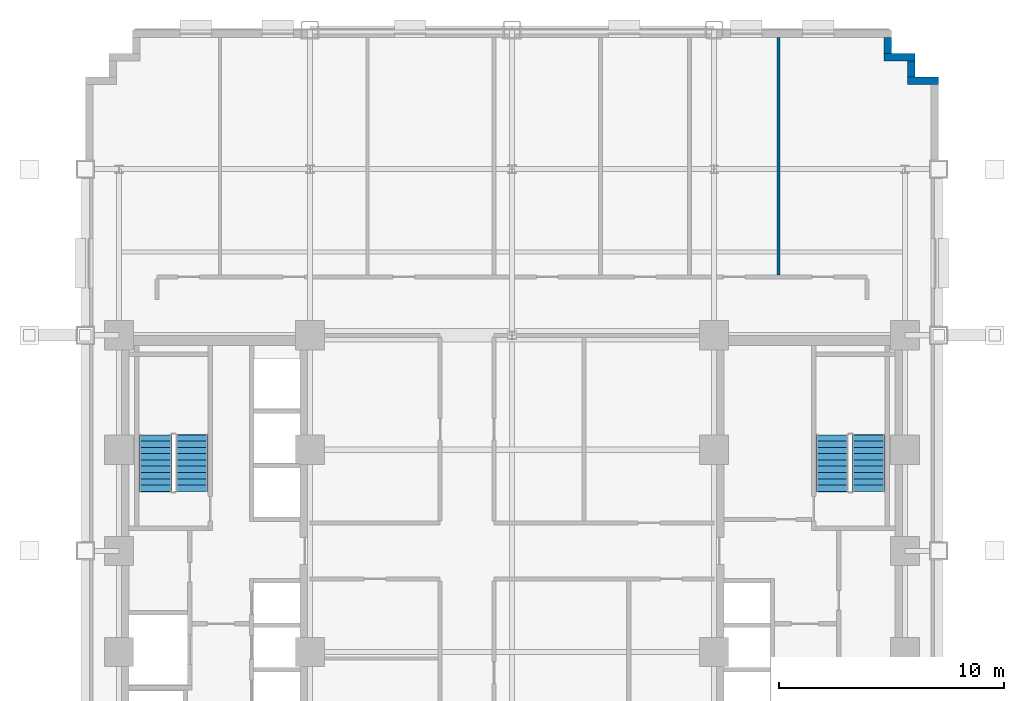
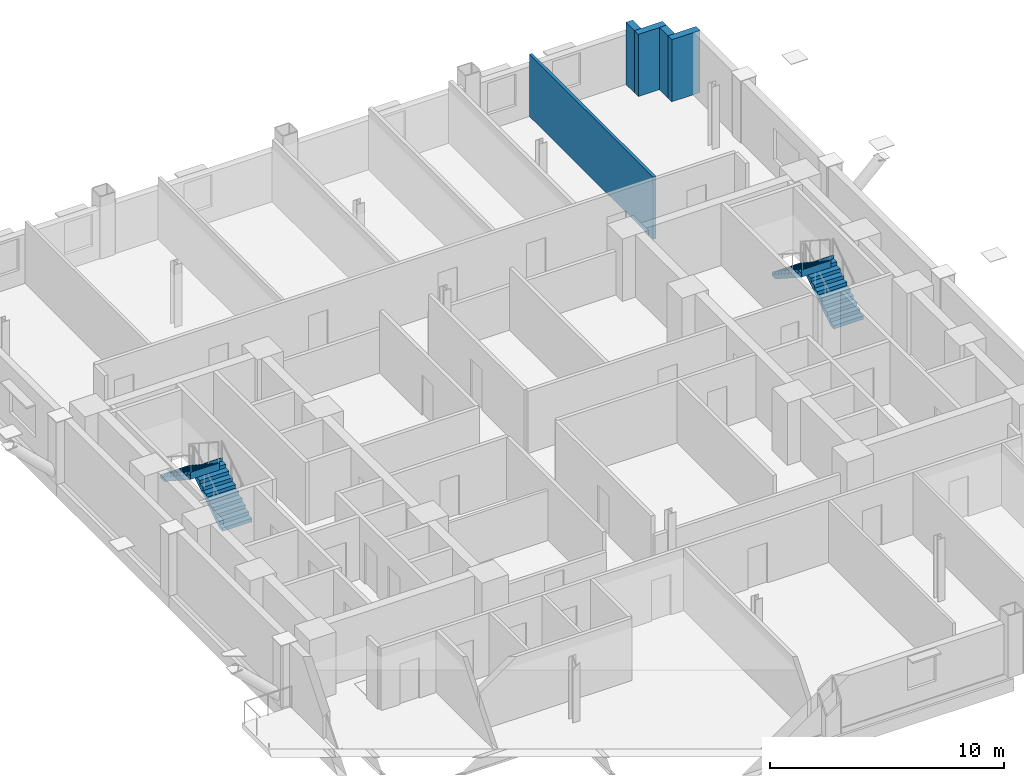
# One storey, part 8 of 12: 5 walls, 4 stair flights, 2 elements without a shape of their own.
"""IFC4 building model written with IfcOpenShell, lengths in metres."""

from ifc_helpers import new_model, si_unit, direction, frame, frame_2d, origin, place, context, subcontext, project, spatial, polyline, rectangle, outline, extrude, material, layer, layer_set, type_object, element, aggregate, save


model = new_model("IFC4")

# Units and contexts
model_context = context("Model", 3, precision=1e-05, world=origin(), true_north=direction((0.0, 1.0)))
body_context = subcontext(model_context, "Body", "Model", "MODEL_VIEW")
ifc_project = project(units=[si_unit("LENGTHUNIT", "METRE"), si_unit("AREAUNIT", "SQUARE_METRE"), si_unit("VOLUMEUNIT", "CUBIC_METRE"), si_unit("PLANEANGLEUNIT", "RADIAN"), si_unit("MASSUNIT", "GRAM", prefix="KILO")], contexts=[model_context])

# Site, building, storey
site_placement = place(None, origin())
site = spatial("IfcSite", under=ifc_project, at=site_placement, CompositionType="ELEMENT")
building_placement = place(site_placement, origin())
building = spatial("IfcBuilding", under=site, at=building_placement, Name="Nuvemarco Arch Tower", CompositionType="ELEMENT")
storey_placement = place(building_placement, frame((0.0, 0.0, 53.14990234375)))
storey = spatial("IfcBuildingStorey", under=building, at=storey_placement, Name="L13", CompositionType="ELEMENT", Elevation=53.14990234375)

# Walls
ifc_material_1 = material(Name="Precast concrete C45/55", Category="concrete")
ifc_layer_1 = layer(ifc_material_1, 0.340087890625, Name="EW-LOW-340")
ifc_layer_set_1 = layer_set([ifc_layer_1], Name="Precast concrete C45/55")
wall_type_1 = type_object("IfcWallType", Name="EW-LOW-340", PredefinedType="STANDARD", material=ifc_layer_set_1)
wall_1_placement = place(storey_placement, frame((17.610107421875, 20.929931640625, 0.0), z_axis=(0.0, 0.0, 1.0), x_axis=(1.0, 0.0, 0.0)))
element("IfcWall", 1, at=wall_1_placement, inside=storey, type_object=wall_type_1, Name="L13 exterior precast facade wall 7", PredefinedType="STANDARD", context=body_context, shape_type="SweptSolid", body=[
    extrude(rectangle(XDim=1.389892578125, YDim=0.340087890625, at=frame_2d((0.69482421875, 0.0))), origin(), (0.0, 0.0, 1.0), 3.239990234375),
])
wall_2_placement = place(storey_placement, frame((17.780029296875, 21.095947265625, 0.0), z_axis=(0.0, 0.0, 1.0), x_axis=(0.0, 1.0, 0.0)))
element("IfcWall", 2, at=wall_2_placement, inside=storey, type_object=wall_type_1, Name="L13 exterior precast facade wall 8", PredefinedType="STANDARD", context=body_context, shape_type="SweptSolid", body=[
    extrude(rectangle(XDim=0.718017578125, YDim=0.340087890625, at=frame_2d((0.35888671875, 0.0))), origin(), (0.0, 0.0, 1.0), 3.239990234375),
])
wall_3_placement = place(storey_placement, frame((16.56005859375, 21.97998046875, 0.0), z_axis=(0.0, 0.0, 1.0), x_axis=(1.0, 0.0, 0.0)))
element("IfcWall", 3, at=wall_3_placement, inside=storey, type_object=wall_type_1, Name="L13 exterior precast facade wall 9", PredefinedType="STANDARD", context=body_context, shape_type="SweptSolid", body=[
    extrude(rectangle(XDim=1.389892578125, YDim=0.340087890625, at=frame_2d((0.69482421875, 0.0))), origin(), (0.0, 0.0, 1.0), 3.239990234375),
])
wall_4_placement = place(storey_placement, frame((16.72998046875, 22.14599609375, 0.0), z_axis=(0.0, 0.0, 1.0), x_axis=(0.0, 1.0, 0.0)))
element("IfcWall", 4, at=wall_4_placement, inside=storey, type_object=wall_type_1, Name="L13 exterior precast facade wall 10", PredefinedType="STANDARD", context=body_context, shape_type="SweptSolid", body=[
    extrude(rectangle(XDim=0.718017578125, YDim=0.340087890625, at=frame_2d((0.35888671875, 0.0))), origin(), (0.0, 0.0, 1.0), 3.239990234375),
])
ifc_material_2 = material(Name="Gypsum plasterboard partition")
ifc_layer_2 = layer(ifc_material_2, 0.139892578125, Name="WL-ROOM-140")
ifc_layer_set_2 = layer_set([ifc_layer_2], Name="Gypsum plasterboard partition")
wall_type_2 = type_object("IfcWallType", Name="WL-ROOM-140", PredefinedType="PARTITIONING", material=ifc_layer_set_2)
wall_5_placement = place(storey_placement, frame((11.8701171875, 12.285888671875, 0.0), z_axis=(0.0, 0.0, 1.0), x_axis=(0.0, 1.0, 0.0)))
element("IfcWall", 5, at=wall_5_placement, inside=storey, type_object=wall_type_2, Name="L13 interior wall IW-L13-035", PredefinedType="PARTITIONING", context=body_context, shape_type="SweptSolid", body=[
    extrude(rectangle(XDim=10.57421875, YDim=0.139892578125, at=frame_2d((5.287109375, 0.0))), origin(), (0.0, 0.0, 1.0), 3.239990234375),
])

# Stair, stair flights
stair_type = type_object("IfcStairType", Name="ST-CORE-20R", PredefinedType="HALF_TURN_STAIR", material=ifc_material_1)
stair_1_placement = place(storey_placement, origin())
stair_1 = element("IfcStair", 6, at=stair_1_placement, inside=storey, type_object=stair_type, Name="L13 Protected Exit Stair ST-1", PredefinedType="HALF_TURN_STAIR")
stair_flight_type = type_object("IfcStairFlightType", Name="SF-CORE-20R", PredefinedType="STRAIGHT", material=ifc_material_1)
stair_flight_1_placement = place(storey_placement, frame((-14.264892578125, 2.64990234375, 0.0), z_axis=(0.0, 0.0, 1.0), x_axis=(0.0, 1.0, 0.0)))
stair_flight_1 = element("IfcStairFlight", 7, at=stair_flight_1_placement, type_object=stair_flight_type, Name="ST-20R flight 1", NumberOfRisers=10, NumberOfTreads=9, PredefinedType="STRAIGHT", RiserHeight=0.1825, TreadLength=0.28, context=body_context, shape_type="SweptSolid", body=[
    extrude(outline(polyline([(0.0, 0.0), (0.0, 0.1826171875), (0.280029296875, 0.1826171875), (0.280029296875, 0.364990234375), (0.56005859375, 0.364990234375), (0.56005859375, 0.547607421875), (0.840087890625, 0.547607421875), (0.840087890625, 0.72998046875), (1.1201171875, 0.72998046875), (1.1201171875, 0.91259765625), (1.39990234375, 0.91259765625), (1.39990234375, 1.094970703125), (1.679931640625, 1.094970703125), (1.679931640625, 1.277587890625), (1.9599609375, 1.277587890625), (1.9599609375, 1.4599609375), (2.239990234375, 1.4599609375), (2.239990234375, 1.642578125), (2.52001953125, 1.642578125), (2.52001953125, 1.824951171875), (2.5400390625, 1.824951171875), (2.5400390625, 1.45166015625), (0.312744140625, 0.0), (0.0, 0.0)])), frame((0.0, 0.72509765625, 0.0), z_axis=(0.0, -1.0, 0.0), x_axis=(1.0, 0.0, 0.0)), (0.0, 0.0, 1.0), 1.449951171875),
])
stair_flight_2_placement = place(storey_placement, frame((-15.875, 5.169921875, 1.8251953125), z_axis=(0.0, 0.0, 1.0), x_axis=(0.0, -1.0, 0.0)))
stair_flight_2 = element("IfcStairFlight", 8, at=stair_flight_2_placement, type_object=stair_flight_type, Name="ST-20R flight 2", NumberOfRisers=10, NumberOfTreads=9, PredefinedType="STRAIGHT", RiserHeight=0.1825, TreadLength=0.28, context=body_context, shape_type="SweptSolid", body=[
    extrude(outline(polyline([(0.0, 0.0), (0.0, 0.1826171875), (0.280029296875, 0.1826171875), (0.280029296875, 0.364990234375), (0.56005859375, 0.364990234375), (0.56005859375, 0.547607421875), (0.840087890625, 0.547607421875), (0.840087890625, 0.72998046875), (1.1201171875, 0.72998046875), (1.1201171875, 0.91259765625), (1.39990234375, 0.91259765625), (1.39990234375, 1.094970703125), (1.679931640625, 1.094970703125), (1.679931640625, 1.277587890625), (1.9599609375, 1.277587890625), (1.9599609375, 1.4599609375), (2.239990234375, 1.4599609375), (2.239990234375, 1.642578125), (2.52001953125, 1.642578125), (2.52001953125, 1.824951171875), (2.5400390625, 1.824951171875), (2.5400390625, 1.45166015625), (0.312744140625, 0.0), (0.0, 0.0)])), frame((0.0, 0.72509765625, 0.0), z_axis=(0.0, -1.0, 0.0), x_axis=(1.0, 0.0, 0.0)), (0.0, 0.0, 1.0), 1.449951171875),
])
aggregate(stair_1, [stair_flight_1, stair_flight_2])

stair_2_placement = place(storey_placement, origin())
stair_2 = element("IfcStair", 9, at=stair_2_placement, inside=storey, type_object=stair_type, Name="L13 Protected Exit Stair ST-2", PredefinedType="HALF_TURN_STAIR")
stair_flight_3_placement = place(storey_placement, frame((15.875, 2.64990234375, 0.0), z_axis=(0.0, 0.0, 1.0), x_axis=(0.0, 1.0, 0.0)))
stair_flight_3 = element("IfcStairFlight", 10, at=stair_flight_3_placement, type_object=stair_flight_type, Name="ST-20R flight 1", NumberOfRisers=10, NumberOfTreads=9, PredefinedType="STRAIGHT", RiserHeight=0.1825, TreadLength=0.28, context=body_context, shape_type="SweptSolid", body=[
    extrude(outline(polyline([(0.0, 0.0), (0.0, 0.1826171875), (0.280029296875, 0.1826171875), (0.280029296875, 0.364990234375), (0.56005859375, 0.364990234375), (0.56005859375, 0.547607421875), (0.840087890625, 0.547607421875), (0.840087890625, 0.72998046875), (1.1201171875, 0.72998046875), (1.1201171875, 0.91259765625), (1.39990234375, 0.91259765625), (1.39990234375, 1.094970703125), (1.679931640625, 1.094970703125), (1.679931640625, 1.277587890625), (1.9599609375, 1.277587890625), (1.9599609375, 1.4599609375), (2.239990234375, 1.4599609375), (2.239990234375, 1.642578125), (2.52001953125, 1.642578125), (2.52001953125, 1.824951171875), (2.5400390625, 1.824951171875), (2.5400390625, 1.45166015625), (0.312744140625, 0.0), (0.0, 0.0)])), frame((0.0, 0.72509765625, 0.0), z_axis=(0.0, -1.0, 0.0), x_axis=(1.0, 0.0, 0.0)), (0.0, 0.0, 1.0), 1.449951171875),
])
stair_flight_4_placement = place(storey_placement, frame((14.264892578125, 5.169921875, 1.8251953125), z_axis=(0.0, 0.0, 1.0), x_axis=(0.0, -1.0, 0.0)))
stair_flight_4 = element("IfcStairFlight", 11, at=stair_flight_4_placement, type_object=stair_flight_type, Name="ST-20R flight 2", NumberOfRisers=10, NumberOfTreads=9, PredefinedType="STRAIGHT", RiserHeight=0.1825, TreadLength=0.28, context=body_context, shape_type="SweptSolid", body=[
    extrude(outline(polyline([(0.0, 0.0), (0.0, 0.1826171875), (0.280029296875, 0.1826171875), (0.280029296875, 0.364990234375), (0.56005859375, 0.364990234375), (0.56005859375, 0.547607421875), (0.840087890625, 0.547607421875), (0.840087890625, 0.72998046875), (1.1201171875, 0.72998046875), (1.1201171875, 0.91259765625), (1.39990234375, 0.91259765625), (1.39990234375, 1.094970703125), (1.679931640625, 1.094970703125), (1.679931640625, 1.277587890625), (1.9599609375, 1.277587890625), (1.9599609375, 1.4599609375), (2.239990234375, 1.4599609375), (2.239990234375, 1.642578125), (2.52001953125, 1.642578125), (2.52001953125, 1.824951171875), (2.5400390625, 1.824951171875), (2.5400390625, 1.45166015625), (0.312744140625, 0.0), (0.0, 0.0)])), frame((0.0, 0.72509765625, 0.0), z_axis=(0.0, -1.0, 0.0), x_axis=(1.0, 0.0, 0.0)), (0.0, 0.0, 1.0), 1.449951171875),
])
aggregate(stair_2, [stair_flight_3, stair_flight_4])

save(model, "model.ifc")
